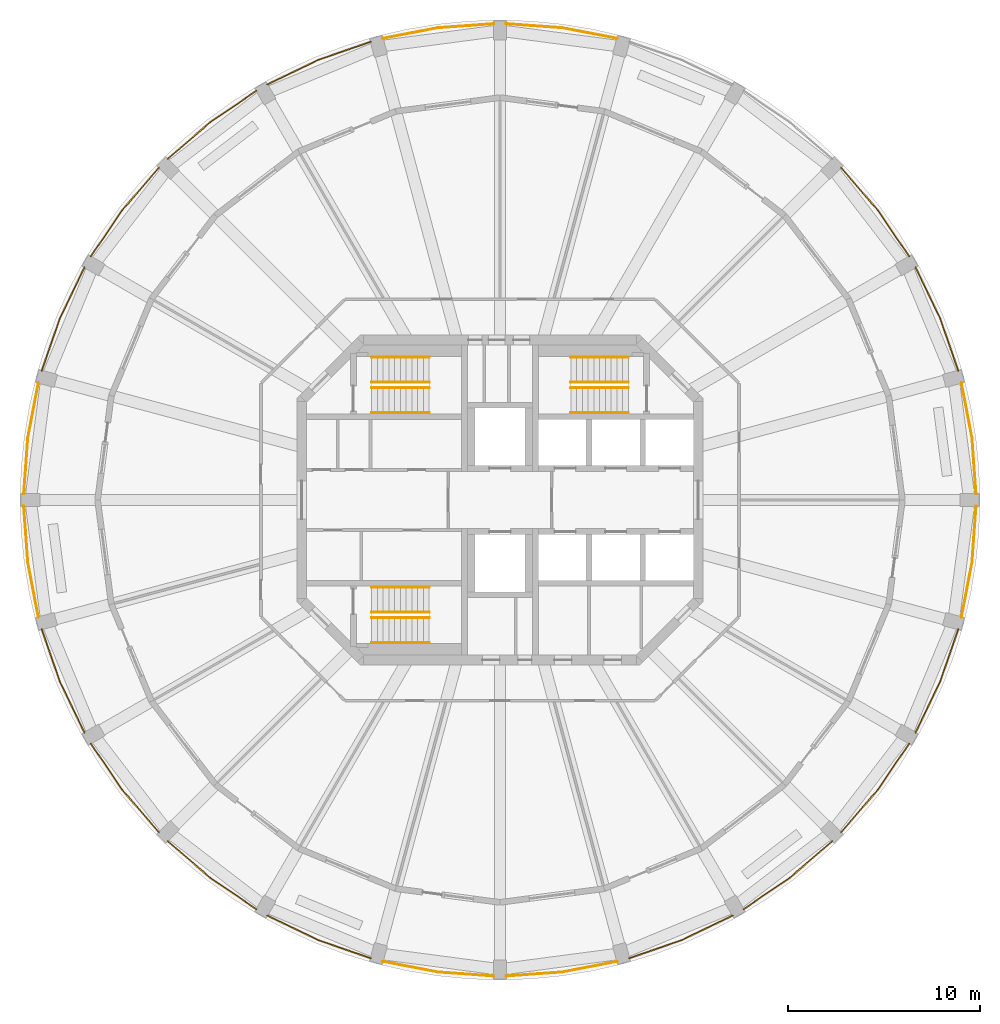
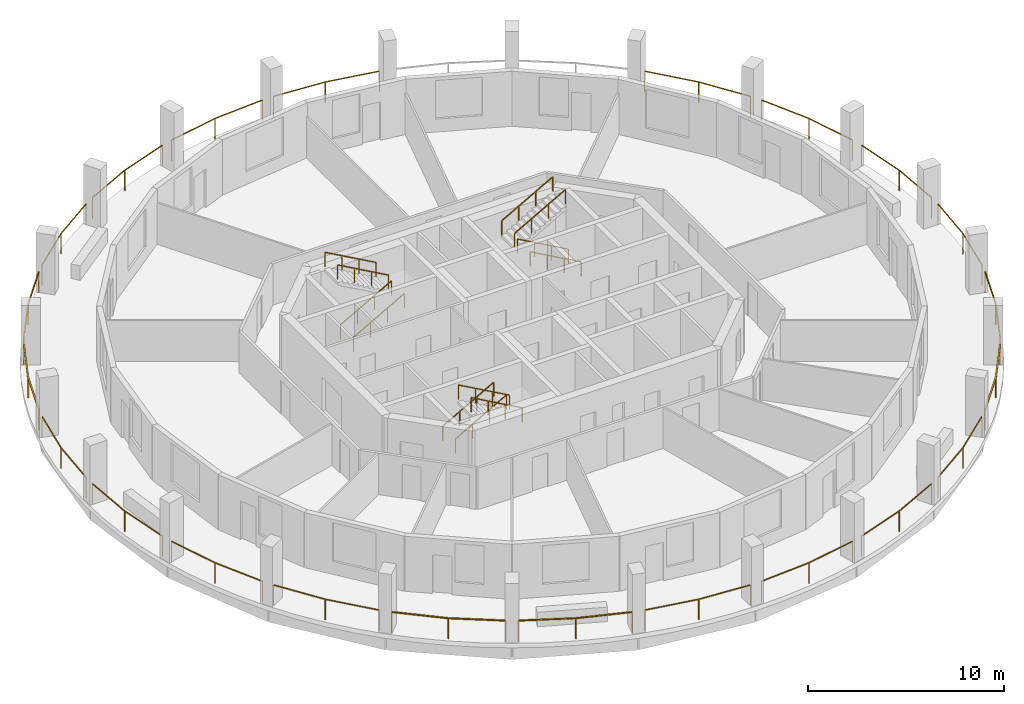
# One storey, part 7 of 8: 34 railings.
"""IFC4 building model written with IfcOpenShell, lengths in metres."""

from ifc_helpers import new_model, si_unit, direction, frame, origin, origin_2d, place, context, subcontext, project, spatial, rectangle, extrude, material, type_object, element, save


model = new_model("IFC4")

# Units and contexts
model_context = context("Model", 3, precision=1e-05, world=origin(), true_north=direction((0.0, 1.0)))
body_context = subcontext(model_context, "Body", "Model", "MODEL_VIEW")
ifc_project = project(units=[si_unit("LENGTHUNIT", "METRE"), si_unit("AREAUNIT", "SQUARE_METRE"), si_unit("VOLUMEUNIT", "CUBIC_METRE"), si_unit("PLANEANGLEUNIT", "RADIAN"), si_unit("MASSUNIT", "GRAM", prefix="KILO")], contexts=[model_context])

# Site, building, storey
site_placement = place(None, origin())
site = spatial("IfcSite", under=ifc_project, at=site_placement, CompositionType="ELEMENT")
building_placement = place(site_placement, origin())
building = spatial("IfcBuilding", under=site, at=building_placement, Name="Torre Triforio", CompositionType="ELEMENT")
storey_placement = place(building_placement, frame((0.0, 0.0, 261.199951171875)))
storey = spatial("IfcBuildingStorey", under=building, at=storey_placement, Name="L60", CompositionType="ELEMENT", Elevation=261.199951171875)

# Railings
ifc_material = material(Name="Stainless steel AISI 316", Category="steel")
railing_type_1 = type_object("IfcRailingType", Name="HANDRAIL 920", PredefinedType="HANDRAIL", material=ifc_material)
for number, where, name in (
    (1, (-6.699951171875, 4.550048828125, 0.168212890625), "Handrail ST1"),
    (2, (-6.699951171875, 5.85009765625, 0.168212890625), "Handrail ST1"),
):
    element("IfcRailing", number, at=place(storey_placement, frame(where)), inside=storey, type_object=railing_type_1, Name=name, PredefinedType="HANDRAIL", context=body_context, shape_type="SweptSolid", body=[
        extrude(rectangle(XDim=0.048095703125, YDim=0.048095703125, at=origin_2d()), frame((0.0, 0.0, 0.89599609375), z_axis=(0.872272294576, 0.0, 0.489020494575), x_axis=(0.0, 1.0, 0.0)), (0.0, 0.0, 1.0), 3.439208984375),
        extrude(rectangle(XDim=0.0419921875, YDim=0.0419921875, at=origin_2d()), origin(), (0.0, 0.0, 1.0), 0.871826171875),
        extrude(rectangle(XDim=0.0419921875, YDim=0.0419921875, at=origin_2d()), frame((1.0, 0.0, 0.560546875)), (0.0, 0.0, 1.0), 0.871826171875),
        extrude(rectangle(XDim=0.0419921875, YDim=0.0419921875, at=origin_2d()), frame((2.0, 0.0, 1.121337890625)), (0.0, 0.0, 1.0), 0.871826171875),
        extrude(rectangle(XDim=0.0419921875, YDim=0.0419921875, at=origin_2d()), frame((3.0, 0.0, 1.681884765625)), (0.0, 0.0, 1.0), 0.871826171875),
    ])
for number, where, name in (
    (3, (-3.699951171875, 7.449951171875, 2.018310546875), "Handrail ST1"),
    (4, (-3.699951171875, 6.14990234375, 2.018310546875), "Handrail ST1"),
):
    element("IfcRailing", number, at=place(storey_placement, frame(where)), inside=storey, type_object=railing_type_1, Name=name, PredefinedType="HANDRAIL", context=body_context, shape_type="SweptSolid", body=[
        extrude(rectangle(XDim=0.048095703125, YDim=0.048095703125, at=origin_2d()), frame((0.0, 0.0, 0.89599609375), z_axis=(-0.872302573547, 0.0, 0.488966481656), x_axis=(0.0, -1.0, 0.0)), (0.0, 0.0, 1.0), 3.439208984375),
        extrude(rectangle(XDim=0.0419921875, YDim=0.0419921875, at=origin_2d()), origin(), (0.0, 0.0, 1.0), 0.871826171875),
        extrude(rectangle(XDim=0.0419921875, YDim=0.0419921875, at=origin_2d()), frame((-1.0, 0.0, 0.560546875)), (0.0, 0.0, 1.0), 0.871826171875),
        extrude(rectangle(XDim=0.0419921875, YDim=0.0419921875, at=origin_2d()), frame((-2.0, 0.0, 1.12109375)), (0.0, 0.0, 1.0), 0.871826171875),
        extrude(rectangle(XDim=0.0419921875, YDim=0.0419921875, at=origin_2d()), frame((-3.0, 0.0, 1.681640625)), (0.0, 0.0, 1.0), 0.871826171875),
    ])
for number, where, name in (
    (5, (6.699951171875, 4.550048828125, 0.168212890625), "Handrail ST2"),
    (6, (6.699951171875, 5.85009765625, 0.168212890625), "Handrail ST2"),
):
    element("IfcRailing", number, at=place(storey_placement, frame(where)), inside=storey, type_object=railing_type_1, Name=name, PredefinedType="HANDRAIL", context=body_context, shape_type="SweptSolid", body=[
        extrude(rectangle(XDim=0.048095703125, YDim=0.048095703125, at=origin_2d()), frame((0.0, 0.0, 0.89599609375), z_axis=(-0.872272294576, 0.0, 0.489020494575), x_axis=(0.0, -1.0, 0.0)), (0.0, 0.0, 1.0), 3.439208984375),
        extrude(rectangle(XDim=0.0419921875, YDim=0.0419921875, at=origin_2d()), origin(), (0.0, 0.0, 1.0), 0.871826171875),
        extrude(rectangle(XDim=0.0419921875, YDim=0.0419921875, at=origin_2d()), frame((-1.0, 0.0, 0.560546875)), (0.0, 0.0, 1.0), 0.871826171875),
        extrude(rectangle(XDim=0.0419921875, YDim=0.0419921875, at=origin_2d()), frame((-2.0, 0.0, 1.121337890625)), (0.0, 0.0, 1.0), 0.871826171875),
        extrude(rectangle(XDim=0.0419921875, YDim=0.0419921875, at=origin_2d()), frame((-3.0, 0.0, 1.681884765625)), (0.0, 0.0, 1.0), 0.871826171875),
    ])
for number, where, name in (
    (7, (3.699951171875, 7.449951171875, 2.018310546875), "Handrail ST2"),
    (8, (3.699951171875, 6.14990234375, 2.018310546875), "Handrail ST2"),
):
    element("IfcRailing", number, at=place(storey_placement, frame(where)), inside=storey, type_object=railing_type_1, Name=name, PredefinedType="HANDRAIL", context=body_context, shape_type="SweptSolid", body=[
        extrude(rectangle(XDim=0.048095703125, YDim=0.048095703125, at=origin_2d()), frame((0.0, 0.0, 0.89599609375), z_axis=(0.872302573547, 0.0, 0.488966481656), x_axis=(0.0, 1.0, 0.0)), (0.0, 0.0, 1.0), 3.439208984375),
        extrude(rectangle(XDim=0.0419921875, YDim=0.0419921875, at=origin_2d()), origin(), (0.0, 0.0, 1.0), 0.871826171875),
        extrude(rectangle(XDim=0.0419921875, YDim=0.0419921875, at=origin_2d()), frame((1.0, 0.0, 0.560546875)), (0.0, 0.0, 1.0), 0.871826171875),
        extrude(rectangle(XDim=0.0419921875, YDim=0.0419921875, at=origin_2d()), frame((2.0, 0.0, 1.12109375)), (0.0, 0.0, 1.0), 0.871826171875),
        extrude(rectangle(XDim=0.0419921875, YDim=0.0419921875, at=origin_2d()), frame((3.0, 0.0, 1.681640625)), (0.0, 0.0, 1.0), 0.871826171875),
    ])
for number, where, name in (
    (9, (-6.699951171875, -4.550048828125, 0.168212890625), "Handrail ST3"),
    (10, (-6.699951171875, -5.85009765625, 0.168212890625), "Handrail ST3"),
):
    element("IfcRailing", number, at=place(storey_placement, frame(where)), inside=storey, type_object=railing_type_1, Name=name, PredefinedType="HANDRAIL", context=body_context, shape_type="SweptSolid", body=[
        extrude(rectangle(XDim=0.048095703125, YDim=0.048095703125, at=origin_2d()), frame((0.0, 0.0, 0.89599609375), z_axis=(0.872272294576, 0.0, 0.489020494575), x_axis=(0.0, 1.0, 0.0)), (0.0, 0.0, 1.0), 3.439208984375),
        extrude(rectangle(XDim=0.0419921875, YDim=0.0419921875, at=origin_2d()), origin(), (0.0, 0.0, 1.0), 0.871826171875),
        extrude(rectangle(XDim=0.0419921875, YDim=0.0419921875, at=origin_2d()), frame((1.0, 0.0, 0.560546875)), (0.0, 0.0, 1.0), 0.871826171875),
        extrude(rectangle(XDim=0.0419921875, YDim=0.0419921875, at=origin_2d()), frame((2.0, 0.0, 1.121337890625)), (0.0, 0.0, 1.0), 0.871826171875),
        extrude(rectangle(XDim=0.0419921875, YDim=0.0419921875, at=origin_2d()), frame((3.0, 0.0, 1.681884765625)), (0.0, 0.0, 1.0), 0.871826171875),
    ])
for number, where, name in (
    (11, (-3.699951171875, -7.449951171875, 2.018310546875), "Handrail ST3"),
    (12, (-3.699951171875, -6.14990234375, 2.018310546875), "Handrail ST3"),
):
    element("IfcRailing", number, at=place(storey_placement, frame(where)), inside=storey, type_object=railing_type_1, Name=name, PredefinedType="HANDRAIL", context=body_context, shape_type="SweptSolid", body=[
        extrude(rectangle(XDim=0.048095703125, YDim=0.048095703125, at=origin_2d()), frame((0.0, 0.0, 0.89599609375), z_axis=(-0.872302573547, 0.0, 0.488966481656), x_axis=(0.0, -1.0, 0.0)), (0.0, 0.0, 1.0), 3.439208984375),
        extrude(rectangle(XDim=0.0419921875, YDim=0.0419921875, at=origin_2d()), origin(), (0.0, 0.0, 1.0), 0.871826171875),
        extrude(rectangle(XDim=0.0419921875, YDim=0.0419921875, at=origin_2d()), frame((-1.0, 0.0, 0.560546875)), (0.0, 0.0, 1.0), 0.871826171875),
        extrude(rectangle(XDim=0.0419921875, YDim=0.0419921875, at=origin_2d()), frame((-2.0, 0.0, 1.12109375)), (0.0, 0.0, 1.0), 0.871826171875),
        extrude(rectangle(XDim=0.0419921875, YDim=0.0419921875, at=origin_2d()), frame((-3.0, 0.0, 1.681640625)), (0.0, 0.0, 1.0), 0.871826171875),
    ])
railing_type_2 = type_object("IfcRailingType", Name="Loggia guard 1300", PredefinedType="GUARDRAIL", material=ifc_material)
railing_1_placement = place(storey_placement, frame((24.85009765625, 0.320068359375, 0.0)))
element("IfcRailing", 13, at=railing_1_placement, inside=storey, type_object=railing_type_2, Name="Loggia guard L60 bay 01", PredefinedType="GUARDRAIL", context=body_context, shape_type="SweptSolid", body=[
    extrude(rectangle(XDim=0.050048828125, YDim=0.050048828125, at=origin_2d()), frame((0.0, 0.0, 1.27490234375), z_axis=(-0.072543227511, 0.997365269168, 0.0), x_axis=(-0.997365269168, -0.072543227511, 0.0)), (0.0, 0.0, 1.0), 2.931396484375),
    extrude(rectangle(XDim=0.050048828125, YDim=0.050048828125, at=origin_2d()), frame((-0.212646484375, 2.923583984375, 1.27490234375), z_axis=(-0.188068851895, 0.982155846568, 0.0), x_axis=(-0.982155846568, -0.188068851895, 0.0)), (0.0, 0.0, 1.0), 2.93115234375),
    extrude(rectangle(XDim=0.0400390625, YDim=0.0400390625, at=origin_2d()), origin(), (0.0, 0.0, 1.0), 1.25),
    extrude(rectangle(XDim=0.0400390625, YDim=0.0400390625, at=origin_2d()), frame((-0.212646484375, 2.923583984375, 0.0)), (0.0, 0.0, 1.0), 1.25),
    extrude(rectangle(XDim=0.0400390625, YDim=0.0400390625, at=origin_2d()), frame((-0.763916015625, 5.802490234375, 0.0)), (0.0, 0.0, 1.0), 1.25),
])
railing_2_placement = place(storey_placement, frame((23.92041015625, 6.74072265625, 0.0)))
element("IfcRailing", 14, at=railing_2_placement, inside=storey, type_object=railing_type_2, Name="Loggia guard L60 bay 02", PredefinedType="GUARDRAIL", context=body_context, shape_type="SweptSolid", body=[
    extrude(rectangle(XDim=0.050048828125, YDim=0.050048828125, at=origin_2d()), frame((0.0, 0.0, 1.27490234375), z_axis=(-0.328145883403, 0.944627058264, 0.0), x_axis=(-0.944627058264, -0.328145883403, 0.0)), (0.0, 0.0, 1.0), 2.931396484375),
    extrude(rectangle(XDim=0.050048828125, YDim=0.050048828125, at=origin_2d()), frame((-0.9619140625, 2.76904296875, 1.27490234375), z_axis=(-0.435917913275, 0.899986429279, 0.0), x_axis=(-0.899986429279, -0.435917913275, 0.0)), (0.0, 0.0, 1.0), 2.931396484375),
    extrude(rectangle(XDim=0.0400390625, YDim=0.0400390625, at=origin_2d()), origin(), (0.0, 0.0, 1.0), 1.25),
    extrude(rectangle(XDim=0.0400390625, YDim=0.0400390625, at=origin_2d()), frame((-0.9619140625, 2.76904296875, 0.0)), (0.0, 0.0, 1.0), 1.25),
    extrude(rectangle(XDim=0.0400390625, YDim=0.0400390625, at=origin_2d()), frame((-2.23974609375, 5.4072265625, 0.0)), (0.0, 0.0, 1.0), 1.25),
])
railing_3_placement = place(storey_placement, frame((21.360595703125, 12.7021484375, 0.0)))
element("IfcRailing", 15, at=railing_3_placement, inside=storey, type_object=railing_type_2, Name="Loggia guard L60 bay 03", PredefinedType="GUARDRAIL", context=body_context, shape_type="SweptSolid", body=[
    extrude(rectangle(XDim=0.050048828125, YDim=0.050048828125, at=origin_2d()), frame((0.0, 0.0, 1.27490234375), z_axis=(-0.561466791934, 0.827499269821, 0.0), x_axis=(-0.827499269821, -0.561466791934, 0.0)), (0.0, 0.0, 1.0), 2.93115234375),
    extrude(rectangle(XDim=0.050048828125, YDim=0.050048828125, at=origin_2d()), frame((-1.645751953125, 2.425537109375, 1.27490234375), z_axis=(-0.653981928353, 0.756510170049, 0.0), x_axis=(-0.756510170049, -0.653981928353, 0.0)), (0.0, 0.0, 1.0), 2.93115234375),
    extrude(rectangle(XDim=0.0400390625, YDim=0.0400390625, at=origin_2d()), origin(), (0.0, 0.0, 1.0), 1.25),
    extrude(rectangle(XDim=0.0400390625, YDim=0.0400390625, at=origin_2d()), frame((-1.645751953125, 2.425537109375, 0.0)), (0.0, 0.0, 1.0), 1.25),
    extrude(rectangle(XDim=0.0400390625, YDim=0.0400390625, at=origin_2d()), frame((-3.562744140625, 4.64306640625, 0.0)), (0.0, 0.0, 1.0), 1.25),
])
railing_4_placement = place(storey_placement, frame((6.12255859375, 24.086181640625, 0.0)))
element("IfcRailing", 16, at=railing_4_placement, inside=storey, type_object=railing_type_2, Name="Loggia guard L60 bay 06", PredefinedType="GUARDRAIL", context=body_context, shape_type="SweptSolid", body=[
    extrude(rectangle(XDim=0.050048828125, YDim=0.050048828125, at=origin_2d()), frame((0.0, 0.0, 1.27490234375), z_axis=(-0.982155846568, 0.188068851895, 0.0), x_axis=(-0.188068851895, -0.982155846568, 0.0)), (0.0, 0.0, 1.0), 2.93115234375),
    extrude(rectangle(XDim=0.050048828125, YDim=0.050048828125, at=origin_2d()), frame((-2.87890625, 0.55126953125, 1.27490234375), z_axis=(-0.997365269168, 0.072543227511, 0.0), x_axis=(-0.072543227511, -0.997365269168, 0.0)), (0.0, 0.0, 1.0), 2.931396484375),
    extrude(rectangle(XDim=0.0400390625, YDim=0.0400390625, at=origin_2d()), origin(), (0.0, 0.0, 1.0), 1.25),
    extrude(rectangle(XDim=0.0400390625, YDim=0.0400390625, at=origin_2d()), frame((-2.87890625, 0.55126953125, 0.0)), (0.0, 0.0, 1.0), 1.25),
    extrude(rectangle(XDim=0.0400390625, YDim=0.0400390625, at=origin_2d()), frame((-5.802490234375, 0.763916015625, 0.0)), (0.0, 0.0, 1.0), 1.25),
])
railing_5_placement = place(storey_placement, frame((-0.320068359375, 24.85009765625, 0.0)))
element("IfcRailing", 17, at=railing_5_placement, inside=storey, type_object=railing_type_2, Name="Loggia guard L60 bay 07", PredefinedType="GUARDRAIL", context=body_context, shape_type="SweptSolid", body=[
    extrude(rectangle(XDim=0.050048828125, YDim=0.050048828125, at=origin_2d()), frame((0.0, 0.0, 1.27490234375), z_axis=(-0.997365269168, -0.072543227511, 0.0), x_axis=(0.072543227511, -0.997365269168, 0.0)), (0.0, 0.0, 1.0), 2.931396484375),
    extrude(rectangle(XDim=0.050048828125, YDim=0.050048828125, at=origin_2d()), frame((-2.923583984375, -0.212646484375, 1.27490234375), z_axis=(-0.982155846568, -0.188068851895, 0.0), x_axis=(0.188068851895, -0.982155846568, 0.0)), (0.0, 0.0, 1.0), 2.93115234375),
    extrude(rectangle(XDim=0.0400390625, YDim=0.0400390625, at=origin_2d()), origin(), (0.0, 0.0, 1.0), 1.25),
    extrude(rectangle(XDim=0.0400390625, YDim=0.0400390625, at=origin_2d()), frame((-2.923583984375, -0.212646484375, 0.0)), (0.0, 0.0, 1.0), 1.25),
    extrude(rectangle(XDim=0.0400390625, YDim=0.0400390625, at=origin_2d()), frame((-5.802490234375, -0.763916015625, 0.0)), (0.0, 0.0, 1.0), 1.25),
])
railing_6_placement = place(storey_placement, frame((-6.74072265625, 23.92041015625, 0.0)))
element("IfcRailing", 18, at=railing_6_placement, inside=storey, type_object=railing_type_2, Name="Loggia guard L60 bay 08", PredefinedType="GUARDRAIL", context=body_context, shape_type="SweptSolid", body=[
    extrude(rectangle(XDim=0.050048828125, YDim=0.050048828125, at=origin_2d()), frame((0.0, 0.0, 1.27490234375), z_axis=(-0.944627058264, -0.328145883403, 0.0), x_axis=(0.328145883403, -0.944627058264, 0.0)), (0.0, 0.0, 1.0), 2.931396484375),
    extrude(rectangle(XDim=0.050048828125, YDim=0.050048828125, at=origin_2d()), frame((-2.76904296875, -0.9619140625, 1.27490234375), z_axis=(-0.899986429279, -0.435917913275, 0.0), x_axis=(0.435917913275, -0.899986429279, 0.0)), (0.0, 0.0, 1.0), 2.931396484375),
    extrude(rectangle(XDim=0.0400390625, YDim=0.0400390625, at=origin_2d()), origin(), (0.0, 0.0, 1.0), 1.25),
    extrude(rectangle(XDim=0.0400390625, YDim=0.0400390625, at=origin_2d()), frame((-2.76904296875, -0.9619140625, 0.0)), (0.0, 0.0, 1.0), 1.25),
    extrude(rectangle(XDim=0.0400390625, YDim=0.0400390625, at=origin_2d()), frame((-5.4072265625, -2.23974609375, 0.0)), (0.0, 0.0, 1.0), 1.25),
])
railing_7_placement = place(storey_placement, frame((-12.7021484375, 21.360595703125, 0.0)))
element("IfcRailing", 19, at=railing_7_placement, inside=storey, type_object=railing_type_2, Name="Loggia guard L60 bay 09", PredefinedType="GUARDRAIL", context=body_context, shape_type="SweptSolid", body=[
    extrude(rectangle(XDim=0.050048828125, YDim=0.050048828125, at=origin_2d()), frame((0.0, 0.0, 1.27490234375), z_axis=(-0.827499269821, -0.561466791934, 0.0), x_axis=(0.561466791934, -0.827499269821, 0.0)), (0.0, 0.0, 1.0), 2.93115234375),
    extrude(rectangle(XDim=0.050048828125, YDim=0.050048828125, at=origin_2d()), frame((-2.425537109375, -1.645751953125, 1.27490234375), z_axis=(-0.756510170049, -0.653981928353, 0.0), x_axis=(0.653981928353, -0.756510170049, 0.0)), (0.0, 0.0, 1.0), 2.93115234375),
    extrude(rectangle(XDim=0.0400390625, YDim=0.0400390625, at=origin_2d()), origin(), (0.0, 0.0, 1.0), 1.25),
    extrude(rectangle(XDim=0.0400390625, YDim=0.0400390625, at=origin_2d()), frame((-2.425537109375, -1.645751953125, 0.0)), (0.0, 0.0, 1.0), 1.25),
    extrude(rectangle(XDim=0.0400390625, YDim=0.0400390625, at=origin_2d()), frame((-4.64306640625, -3.562744140625, 0.0)), (0.0, 0.0, 1.0), 1.25),
])
railing_8_placement = place(storey_placement, frame((-17.7978515625, 17.34521484375, 0.0)))
element("IfcRailing", 20, at=railing_8_placement, inside=storey, type_object=railing_type_2, Name="Loggia guard L60 bay 10", PredefinedType="GUARDRAIL", context=body_context, shape_type="SweptSolid", body=[
    extrude(rectangle(XDim=0.050048828125, YDim=0.050048828125, at=origin_2d()), frame((0.0, 0.0, 1.27490234375), z_axis=(-0.653981928353, -0.756510170049, 0.0), x_axis=(0.756510170049, -0.653981928353, 0.0)), (0.0, 0.0, 1.0), 2.93115234375),
    extrude(rectangle(XDim=0.050048828125, YDim=0.050048828125, at=origin_2d()), frame((-1.9169921875, -2.217529296875, 1.27490234375), z_axis=(-0.561466791934, -0.827499269821, 0.0), x_axis=(0.827499269821, -0.561466791934, 0.0)), (0.0, 0.0, 1.0), 2.93115234375),
    extrude(rectangle(XDim=0.0400390625, YDim=0.0400390625, at=origin_2d()), origin(), (0.0, 0.0, 1.0), 1.25),
    extrude(rectangle(XDim=0.0400390625, YDim=0.0400390625, at=origin_2d()), frame((-1.9169921875, -2.217529296875, 0.0)), (0.0, 0.0, 1.0), 1.25),
    extrude(rectangle(XDim=0.0400390625, YDim=0.0400390625, at=origin_2d()), frame((-3.562744140625, -4.64306640625, 0.0)), (0.0, 0.0, 1.0), 1.25),
])
railing_9_placement = place(storey_placement, frame((-21.6806640625, 12.14794921875, 0.0)))
element("IfcRailing", 21, at=railing_9_placement, inside=storey, type_object=railing_type_2, Name="Loggia guard L60 bay 11", PredefinedType="GUARDRAIL", context=body_context, shape_type="SweptSolid", body=[
    extrude(rectangle(XDim=0.050048828125, YDim=0.050048828125, at=origin_2d()), frame((0.0, 0.0, 1.27490234375), z_axis=(-0.435917913275, -0.899986429279, 0.0), x_axis=(0.899986429279, -0.435917913275, 0.0)), (0.0, 0.0, 1.0), 2.931396484375),
    extrude(rectangle(XDim=0.050048828125, YDim=0.050048828125, at=origin_2d()), frame((-1.27783203125, -2.63818359375, 1.27490234375), z_axis=(-0.328145883403, -0.944627058264, 0.0), x_axis=(0.944627058264, -0.328145883403, 0.0)), (0.0, 0.0, 1.0), 2.931396484375),
    extrude(rectangle(XDim=0.0400390625, YDim=0.0400390625, at=origin_2d()), origin(), (0.0, 0.0, 1.0), 1.25),
    extrude(rectangle(XDim=0.0400390625, YDim=0.0400390625, at=origin_2d()), frame((-1.27783203125, -2.63818359375, 0.0)), (0.0, 0.0, 1.0), 1.25),
    extrude(rectangle(XDim=0.0400390625, YDim=0.0400390625, at=origin_2d()), frame((-2.23974609375, -5.4072265625, 0.0)), (0.0, 0.0, 1.0), 1.25),
])
railing_10_placement = place(storey_placement, frame((-24.086181640625, 6.12255859375, 0.0)))
element("IfcRailing", 22, at=railing_10_placement, inside=storey, type_object=railing_type_2, Name="Loggia guard L60 bay 12", PredefinedType="GUARDRAIL", context=body_context, shape_type="SweptSolid", body=[
    extrude(rectangle(XDim=0.050048828125, YDim=0.050048828125, at=origin_2d()), frame((0.0, 0.0, 1.27490234375), z_axis=(-0.188068851895, -0.982155846568, 0.0), x_axis=(0.982155846568, -0.188068851895, 0.0)), (0.0, 0.0, 1.0), 2.93115234375),
    extrude(rectangle(XDim=0.050048828125, YDim=0.050048828125, at=origin_2d()), frame((-0.55126953125, -2.87890625, 1.27490234375), z_axis=(-0.072543227511, -0.997365269168, 0.0), x_axis=(0.997365269168, -0.072543227511, 0.0)), (0.0, 0.0, 1.0), 2.931396484375),
    extrude(rectangle(XDim=0.0400390625, YDim=0.0400390625, at=origin_2d()), origin(), (0.0, 0.0, 1.0), 1.25),
    extrude(rectangle(XDim=0.0400390625, YDim=0.0400390625, at=origin_2d()), frame((-0.55126953125, -2.87890625, 0.0)), (0.0, 0.0, 1.0), 1.25),
    extrude(rectangle(XDim=0.0400390625, YDim=0.0400390625, at=origin_2d()), frame((-0.763916015625, -5.802490234375, 0.0)), (0.0, 0.0, 1.0), 1.25),
])
railing_11_placement = place(storey_placement, frame((-24.85009765625, -0.320068359375, 0.0)))
element("IfcRailing", 23, at=railing_11_placement, inside=storey, type_object=railing_type_2, Name="Loggia guard L60 bay 13", PredefinedType="GUARDRAIL", context=body_context, shape_type="SweptSolid", body=[
    extrude(rectangle(XDim=0.050048828125, YDim=0.050048828125, at=origin_2d()), frame((0.0, 0.0, 1.27490234375), z_axis=(0.072543227511, -0.997365269168, 0.0), x_axis=(0.997365269168, 0.072543227511, 0.0)), (0.0, 0.0, 1.0), 2.931396484375),
    extrude(rectangle(XDim=0.050048828125, YDim=0.050048828125, at=origin_2d()), frame((0.212646484375, -2.923583984375, 1.27490234375), z_axis=(0.188068851895, -0.982155846568, 0.0), x_axis=(0.982155846568, 0.188068851895, 0.0)), (0.0, 0.0, 1.0), 2.93115234375),
    extrude(rectangle(XDim=0.0400390625, YDim=0.0400390625, at=origin_2d()), origin(), (0.0, 0.0, 1.0), 1.25),
    extrude(rectangle(XDim=0.0400390625, YDim=0.0400390625, at=origin_2d()), frame((0.212646484375, -2.923583984375, 0.0)), (0.0, 0.0, 1.0), 1.25),
    extrude(rectangle(XDim=0.0400390625, YDim=0.0400390625, at=origin_2d()), frame((0.763916015625, -5.802490234375, 0.0)), (0.0, 0.0, 1.0), 1.25),
])
railing_12_placement = place(storey_placement, frame((-23.92041015625, -6.74072265625, 0.0)))
element("IfcRailing", 24, at=railing_12_placement, inside=storey, type_object=railing_type_2, Name="Loggia guard L60 bay 14", PredefinedType="GUARDRAIL", context=body_context, shape_type="SweptSolid", body=[
    extrude(rectangle(XDim=0.050048828125, YDim=0.050048828125, at=origin_2d()), frame((0.0, 0.0, 1.27490234375), z_axis=(0.328145883403, -0.944627058264, 0.0), x_axis=(0.944627058264, 0.328145883403, 0.0)), (0.0, 0.0, 1.0), 2.931396484375),
    extrude(rectangle(XDim=0.050048828125, YDim=0.050048828125, at=origin_2d()), frame((0.9619140625, -2.76904296875, 1.27490234375), z_axis=(0.435917913275, -0.899986429279, 0.0), x_axis=(0.899986429279, 0.435917913275, 0.0)), (0.0, 0.0, 1.0), 2.931396484375),
    extrude(rectangle(XDim=0.0400390625, YDim=0.0400390625, at=origin_2d()), origin(), (0.0, 0.0, 1.0), 1.25),
    extrude(rectangle(XDim=0.0400390625, YDim=0.0400390625, at=origin_2d()), frame((0.9619140625, -2.76904296875, 0.0)), (0.0, 0.0, 1.0), 1.25),
    extrude(rectangle(XDim=0.0400390625, YDim=0.0400390625, at=origin_2d()), frame((2.23974609375, -5.4072265625, 0.0)), (0.0, 0.0, 1.0), 1.25),
])
railing_13_placement = place(storey_placement, frame((-21.360595703125, -12.7021484375, 0.0)))
element("IfcRailing", 25, at=railing_13_placement, inside=storey, type_object=railing_type_2, Name="Loggia guard L60 bay 15", PredefinedType="GUARDRAIL", context=body_context, shape_type="SweptSolid", body=[
    extrude(rectangle(XDim=0.050048828125, YDim=0.050048828125, at=origin_2d()), frame((0.0, 0.0, 1.27490234375), z_axis=(0.561466791934, -0.827499269821, 0.0), x_axis=(0.827499269821, 0.561466791934, 0.0)), (0.0, 0.0, 1.0), 2.93115234375),
    extrude(rectangle(XDim=0.050048828125, YDim=0.050048828125, at=origin_2d()), frame((1.645751953125, -2.425537109375, 1.27490234375), z_axis=(0.653981928353, -0.756510170049, 0.0), x_axis=(0.756510170049, 0.653981928353, 0.0)), (0.0, 0.0, 1.0), 2.93115234375),
    extrude(rectangle(XDim=0.0400390625, YDim=0.0400390625, at=origin_2d()), origin(), (0.0, 0.0, 1.0), 1.25),
    extrude(rectangle(XDim=0.0400390625, YDim=0.0400390625, at=origin_2d()), frame((1.645751953125, -2.425537109375, 0.0)), (0.0, 0.0, 1.0), 1.25),
    extrude(rectangle(XDim=0.0400390625, YDim=0.0400390625, at=origin_2d()), frame((3.562744140625, -4.64306640625, 0.0)), (0.0, 0.0, 1.0), 1.25),
])
railing_14_placement = place(storey_placement, frame((-17.34521484375, -17.7978515625, 0.0)))
element("IfcRailing", 26, at=railing_14_placement, inside=storey, type_object=railing_type_2, Name="Loggia guard L60 bay 16", PredefinedType="GUARDRAIL", context=body_context, shape_type="SweptSolid", body=[
    extrude(rectangle(XDim=0.050048828125, YDim=0.050048828125, at=origin_2d()), frame((0.0, 0.0, 1.27490234375), z_axis=(0.756510170049, -0.653981928353, 0.0), x_axis=(0.653981928353, 0.756510170049, 0.0)), (0.0, 0.0, 1.0), 2.93115234375),
    extrude(rectangle(XDim=0.050048828125, YDim=0.050048828125, at=origin_2d()), frame((2.217529296875, -1.9169921875, 1.27490234375), z_axis=(0.827499269821, -0.561466791934, 0.0), x_axis=(0.561466791934, 0.827499269821, 0.0)), (0.0, 0.0, 1.0), 2.93115234375),
    extrude(rectangle(XDim=0.0400390625, YDim=0.0400390625, at=origin_2d()), origin(), (0.0, 0.0, 1.0), 1.25),
    extrude(rectangle(XDim=0.0400390625, YDim=0.0400390625, at=origin_2d()), frame((2.217529296875, -1.9169921875, 0.0)), (0.0, 0.0, 1.0), 1.25),
    extrude(rectangle(XDim=0.0400390625, YDim=0.0400390625, at=origin_2d()), frame((4.64306640625, -3.562744140625, 0.0)), (0.0, 0.0, 1.0), 1.25),
])
railing_15_placement = place(storey_placement, frame((-12.14794921875, -21.6806640625, 0.0)))
element("IfcRailing", 27, at=railing_15_placement, inside=storey, type_object=railing_type_2, Name="Loggia guard L60 bay 17", PredefinedType="GUARDRAIL", context=body_context, shape_type="SweptSolid", body=[
    extrude(rectangle(XDim=0.050048828125, YDim=0.050048828125, at=origin_2d()), frame((0.0, 0.0, 1.27490234375), z_axis=(0.899986429279, -0.435917913275, 0.0), x_axis=(0.435917913275, 0.899986429279, 0.0)), (0.0, 0.0, 1.0), 2.931396484375),
    extrude(rectangle(XDim=0.050048828125, YDim=0.050048828125, at=origin_2d()), frame((2.63818359375, -1.27783203125, 1.27490234375), z_axis=(0.944627058264, -0.328145883403, 0.0), x_axis=(0.328145883403, 0.944627058264, 0.0)), (0.0, 0.0, 1.0), 2.931396484375),
    extrude(rectangle(XDim=0.0400390625, YDim=0.0400390625, at=origin_2d()), origin(), (0.0, 0.0, 1.0), 1.25),
    extrude(rectangle(XDim=0.0400390625, YDim=0.0400390625, at=origin_2d()), frame((2.63818359375, -1.27783203125, 0.0)), (0.0, 0.0, 1.0), 1.25),
    extrude(rectangle(XDim=0.0400390625, YDim=0.0400390625, at=origin_2d()), frame((5.4072265625, -2.23974609375, 0.0)), (0.0, 0.0, 1.0), 1.25),
])
railing_16_placement = place(storey_placement, frame((-6.12255859375, -24.086181640625, 0.0)))
element("IfcRailing", 28, at=railing_16_placement, inside=storey, type_object=railing_type_2, Name="Loggia guard L60 bay 18", PredefinedType="GUARDRAIL", context=body_context, shape_type="SweptSolid", body=[
    extrude(rectangle(XDim=0.050048828125, YDim=0.050048828125, at=origin_2d()), frame((0.0, 0.0, 1.27490234375), z_axis=(0.982155846568, -0.188068851895, 0.0), x_axis=(0.188068851895, 0.982155846568, 0.0)), (0.0, 0.0, 1.0), 2.93115234375),
    extrude(rectangle(XDim=0.050048828125, YDim=0.050048828125, at=origin_2d()), frame((2.87890625, -0.55126953125, 1.27490234375), z_axis=(0.997365269168, -0.072543227511, 0.0), x_axis=(0.072543227511, 0.997365269168, 0.0)), (0.0, 0.0, 1.0), 2.931396484375),
    extrude(rectangle(XDim=0.0400390625, YDim=0.0400390625, at=origin_2d()), origin(), (0.0, 0.0, 1.0), 1.25),
    extrude(rectangle(XDim=0.0400390625, YDim=0.0400390625, at=origin_2d()), frame((2.87890625, -0.55126953125, 0.0)), (0.0, 0.0, 1.0), 1.25),
    extrude(rectangle(XDim=0.0400390625, YDim=0.0400390625, at=origin_2d()), frame((5.802490234375, -0.763916015625, 0.0)), (0.0, 0.0, 1.0), 1.25),
])
railing_17_placement = place(storey_placement, frame((0.320068359375, -24.85009765625, 0.0)))
element("IfcRailing", 29, at=railing_17_placement, inside=storey, type_object=railing_type_2, Name="Loggia guard L60 bay 19", PredefinedType="GUARDRAIL", context=body_context, shape_type="SweptSolid", body=[
    extrude(rectangle(XDim=0.050048828125, YDim=0.050048828125, at=origin_2d()), frame((0.0, 0.0, 1.27490234375), z_axis=(0.997365269168, 0.072543227511, 0.0), x_axis=(-0.072543227511, 0.997365269168, 0.0)), (0.0, 0.0, 1.0), 2.931396484375),
    extrude(rectangle(XDim=0.050048828125, YDim=0.050048828125, at=origin_2d()), frame((2.923583984375, 0.212646484375, 1.27490234375), z_axis=(0.982155846568, 0.188068851895, 0.0), x_axis=(-0.188068851895, 0.982155846568, 0.0)), (0.0, 0.0, 1.0), 2.93115234375),
    extrude(rectangle(XDim=0.0400390625, YDim=0.0400390625, at=origin_2d()), origin(), (0.0, 0.0, 1.0), 1.25),
    extrude(rectangle(XDim=0.0400390625, YDim=0.0400390625, at=origin_2d()), frame((2.923583984375, 0.212646484375, 0.0)), (0.0, 0.0, 1.0), 1.25),
    extrude(rectangle(XDim=0.0400390625, YDim=0.0400390625, at=origin_2d()), frame((5.802490234375, 0.763916015625, 0.0)), (0.0, 0.0, 1.0), 1.25),
])
railing_18_placement = place(storey_placement, frame((6.74072265625, -23.92041015625, 0.0)))
element("IfcRailing", 30, at=railing_18_placement, inside=storey, type_object=railing_type_2, Name="Loggia guard L60 bay 20", PredefinedType="GUARDRAIL", context=body_context, shape_type="SweptSolid", body=[
    extrude(rectangle(XDim=0.050048828125, YDim=0.050048828125, at=origin_2d()), frame((0.0, 0.0, 1.27490234375), z_axis=(0.944627058264, 0.328145883403, 0.0), x_axis=(-0.328145883403, 0.944627058264, 0.0)), (0.0, 0.0, 1.0), 2.931396484375),
    extrude(rectangle(XDim=0.050048828125, YDim=0.050048828125, at=origin_2d()), frame((2.76904296875, 0.9619140625, 1.27490234375), z_axis=(0.899986429279, 0.435917913275, 0.0), x_axis=(-0.435917913275, 0.899986429279, 0.0)), (0.0, 0.0, 1.0), 2.931396484375),
    extrude(rectangle(XDim=0.0400390625, YDim=0.0400390625, at=origin_2d()), origin(), (0.0, 0.0, 1.0), 1.25),
    extrude(rectangle(XDim=0.0400390625, YDim=0.0400390625, at=origin_2d()), frame((2.76904296875, 0.9619140625, 0.0)), (0.0, 0.0, 1.0), 1.25),
    extrude(rectangle(XDim=0.0400390625, YDim=0.0400390625, at=origin_2d()), frame((5.4072265625, 2.23974609375, 0.0)), (0.0, 0.0, 1.0), 1.25),
])
railing_19_placement = place(storey_placement, frame((12.7021484375, -21.360595703125, 0.0)))
element("IfcRailing", 31, at=railing_19_placement, inside=storey, type_object=railing_type_2, Name="Loggia guard L60 bay 21", PredefinedType="GUARDRAIL", context=body_context, shape_type="SweptSolid", body=[
    extrude(rectangle(XDim=0.050048828125, YDim=0.050048828125, at=origin_2d()), frame((0.0, 0.0, 1.27490234375), z_axis=(0.827499269821, 0.561466791934, 0.0), x_axis=(-0.561466791934, 0.827499269821, 0.0)), (0.0, 0.0, 1.0), 2.93115234375),
    extrude(rectangle(XDim=0.050048828125, YDim=0.050048828125, at=origin_2d()), frame((2.425537109375, 1.645751953125, 1.27490234375), z_axis=(0.756510170049, 0.653981928353, 0.0), x_axis=(-0.653981928353, 0.756510170049, 0.0)), (0.0, 0.0, 1.0), 2.93115234375),
    extrude(rectangle(XDim=0.0400390625, YDim=0.0400390625, at=origin_2d()), origin(), (0.0, 0.0, 1.0), 1.25),
    extrude(rectangle(XDim=0.0400390625, YDim=0.0400390625, at=origin_2d()), frame((2.425537109375, 1.645751953125, 0.0)), (0.0, 0.0, 1.0), 1.25),
    extrude(rectangle(XDim=0.0400390625, YDim=0.0400390625, at=origin_2d()), frame((4.64306640625, 3.562744140625, 0.0)), (0.0, 0.0, 1.0), 1.25),
])
railing_20_placement = place(storey_placement, frame((17.7978515625, -17.34521484375, 0.0)))
element("IfcRailing", 32, at=railing_20_placement, inside=storey, type_object=railing_type_2, Name="Loggia guard L60 bay 22", PredefinedType="GUARDRAIL", context=body_context, shape_type="SweptSolid", body=[
    extrude(rectangle(XDim=0.050048828125, YDim=0.050048828125, at=origin_2d()), frame((0.0, 0.0, 1.27490234375), z_axis=(0.653981928353, 0.756510170049, 0.0), x_axis=(-0.756510170049, 0.653981928353, 0.0)), (0.0, 0.0, 1.0), 2.93115234375),
    extrude(rectangle(XDim=0.050048828125, YDim=0.050048828125, at=origin_2d()), frame((1.9169921875, 2.217529296875, 1.27490234375), z_axis=(0.561466791934, 0.827499269821, 0.0), x_axis=(-0.827499269821, 0.561466791934, 0.0)), (0.0, 0.0, 1.0), 2.93115234375),
    extrude(rectangle(XDim=0.0400390625, YDim=0.0400390625, at=origin_2d()), origin(), (0.0, 0.0, 1.0), 1.25),
    extrude(rectangle(XDim=0.0400390625, YDim=0.0400390625, at=origin_2d()), frame((1.9169921875, 2.217529296875, 0.0)), (0.0, 0.0, 1.0), 1.25),
    extrude(rectangle(XDim=0.0400390625, YDim=0.0400390625, at=origin_2d()), frame((3.562744140625, 4.64306640625, 0.0)), (0.0, 0.0, 1.0), 1.25),
])
railing_21_placement = place(storey_placement, frame((21.6806640625, -12.14794921875, 0.0)))
element("IfcRailing", 33, at=railing_21_placement, inside=storey, type_object=railing_type_2, Name="Loggia guard L60 bay 23", PredefinedType="GUARDRAIL", context=body_context, shape_type="SweptSolid", body=[
    extrude(rectangle(XDim=0.050048828125, YDim=0.050048828125, at=origin_2d()), frame((0.0, 0.0, 1.27490234375), z_axis=(0.435917913275, 0.899986429279, 0.0), x_axis=(-0.899986429279, 0.435917913275, 0.0)), (0.0, 0.0, 1.0), 2.931396484375),
    extrude(rectangle(XDim=0.050048828125, YDim=0.050048828125, at=origin_2d()), frame((1.27783203125, 2.63818359375, 1.27490234375), z_axis=(0.328145883403, 0.944627058264, 0.0), x_axis=(-0.944627058264, 0.328145883403, 0.0)), (0.0, 0.0, 1.0), 2.931396484375),
    extrude(rectangle(XDim=0.0400390625, YDim=0.0400390625, at=origin_2d()), origin(), (0.0, 0.0, 1.0), 1.25),
    extrude(rectangle(XDim=0.0400390625, YDim=0.0400390625, at=origin_2d()), frame((1.27783203125, 2.63818359375, 0.0)), (0.0, 0.0, 1.0), 1.25),
    extrude(rectangle(XDim=0.0400390625, YDim=0.0400390625, at=origin_2d()), frame((2.23974609375, 5.4072265625, 0.0)), (0.0, 0.0, 1.0), 1.25),
])
railing_22_placement = place(storey_placement, frame((24.086181640625, -6.12255859375, 0.0)))
element("IfcRailing", 34, at=railing_22_placement, inside=storey, type_object=railing_type_2, Name="Loggia guard L60 bay 24", PredefinedType="GUARDRAIL", context=body_context, shape_type="SweptSolid", body=[
    extrude(rectangle(XDim=0.050048828125, YDim=0.050048828125, at=origin_2d()), frame((0.0, 0.0, 1.27490234375), z_axis=(0.188068851895, 0.982155846568, 0.0), x_axis=(-0.982155846568, 0.188068851895, 0.0)), (0.0, 0.0, 1.0), 2.93115234375),
    extrude(rectangle(XDim=0.050048828125, YDim=0.050048828125, at=origin_2d()), frame((0.55126953125, 2.87890625, 1.27490234375), z_axis=(0.072543227511, 0.997365269168, 0.0), x_axis=(-0.997365269168, 0.072543227511, 0.0)), (0.0, 0.0, 1.0), 2.931396484375),
    extrude(rectangle(XDim=0.0400390625, YDim=0.0400390625, at=origin_2d()), origin(), (0.0, 0.0, 1.0), 1.25),
    extrude(rectangle(XDim=0.0400390625, YDim=0.0400390625, at=origin_2d()), frame((0.55126953125, 2.87890625, 0.0)), (0.0, 0.0, 1.0), 1.25),
    extrude(rectangle(XDim=0.0400390625, YDim=0.0400390625, at=origin_2d()), frame((0.763916015625, 5.802490234375, 0.0)), (0.0, 0.0, 1.0), 1.25),
])

save(model, "model.ifc")
